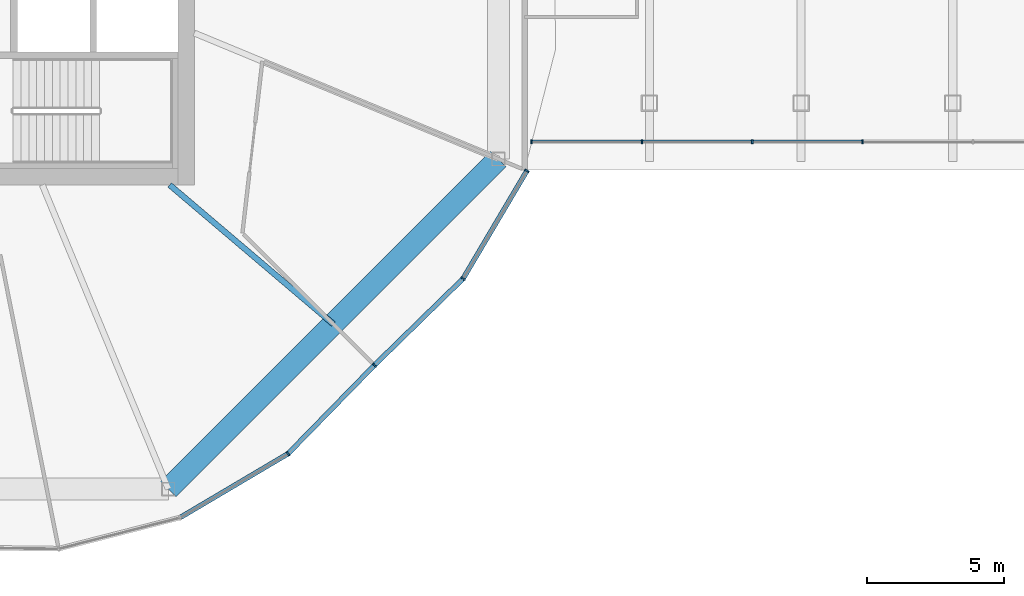
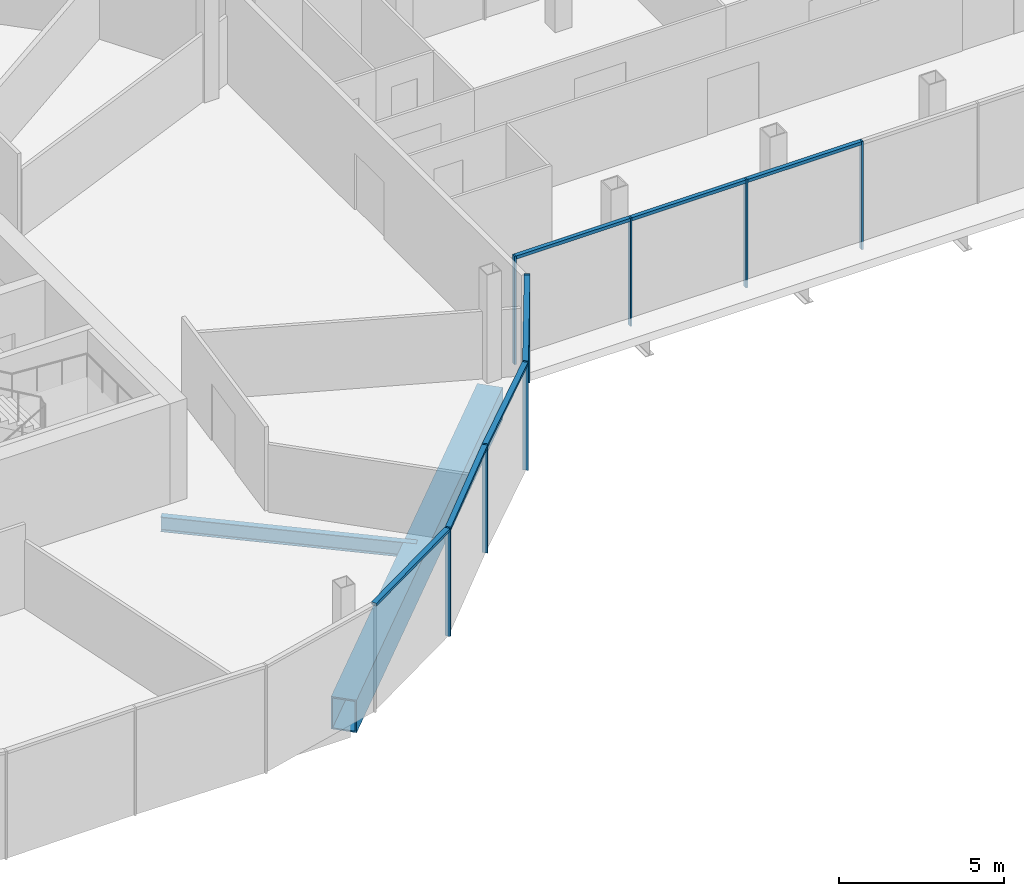
# One storey, part 5 of 25: 15 members, 2 beams, 3 elements without a shape of their own.
"""IFC4 building model written with IfcOpenShell, lengths in metres."""

from ifc_helpers import new_model, si_unit, direction, frame, origin, origin_2d, place, context, subcontext, project, spatial, rectangle, hollow_rectangle, i_section, extrude, material, material_profile, profile_set, type_object, element, aggregate, save


model = new_model("IFC4")

# Units and contexts
model_context = context("Model", 3, precision=1e-05, world=origin(), true_north=direction((0.0, 1.0)))
body_context = subcontext(model_context, "Body", "Model", "MODEL_VIEW")
ifc_project = project(units=[si_unit("LENGTHUNIT", "METRE"), si_unit("AREAUNIT", "SQUARE_METRE"), si_unit("VOLUMEUNIT", "CUBIC_METRE"), si_unit("PLANEANGLEUNIT", "RADIAN"), si_unit("MASSUNIT", "GRAM", prefix="KILO")], contexts=[model_context])

# Site, building, storey
site_placement = place(None, origin())
site = spatial("IfcSite", under=ifc_project, at=site_placement, CompositionType="ELEMENT")
building_placement = place(site_placement, origin())
building = spatial("IfcBuilding", under=site, at=building_placement, Name="Ogive Gate Towers", CompositionType="ELEMENT")
storey_placement = place(building_placement, frame((0.0, 0.0, 140.800048828125)))
storey = spatial("IfcBuildingStorey", under=building, at=storey_placement, Name="L33", CompositionType="ELEMENT", Elevation=140.800048828125)

# Beam
ifc_material_1 = material(Name="Steel SM460", Category="steel")
ifc_material_profile_1 = material_profile(ifc_material_1, hollow_rectangle(XDim=0.800048828125, YDim=1.199951171875, WallThickness=0.050048828125, at=origin_2d()), Name="BX 1200x800x50")
ifc_profile_set_1 = profile_set([ifc_material_profile_1], Name="Steel SM460")
beam_type_1 = type_object("IfcBeamType", Name="Edge girder BX 1200x800x50", PredefinedType="BEAM", material=ifc_profile_set_1)
beam_1_placement = place(storey_placement, frame((-27.450927734375, -20.639404296875, -0.900146484375), z_axis=(0.707106781187, 0.707106781187, 0.0), x_axis=(-0.707106781187, 0.707106781187, 0.0)))
element("IfcBeam", 1, at=beam_1_placement, inside=storey, type_object=beam_type_1, Name="T1/L33/SBM019", PredefinedType="BEAM", context=body_context, shape_type="SweptSolid", body=[
    extrude(hollow_rectangle(XDim=0.800048828125, YDim=1.199951171875, WallThickness=0.050048828125, at=origin_2d()), origin(), (0.0, 0.0, 1.0), 17.098388671875),
])

# Curtain wall, members
ifc_material_2 = material(Name="Pale metal aluminium", Category="aluminium")
curtain_wall_type_1 = type_object("IfcCurtainWallType", Name="Gate block facade", PredefinedType="NOTDEFINED", material=ifc_material_2)
curtain_wall_1_placement = place(storey_placement, origin())
curtain_wall_1 = element("IfcCurtainWall", 2, at=curtain_wall_1_placement, inside=storey, type_object=curtain_wall_type_1, Name="CW3 BR ECW01", PredefinedType="NOTDEFINED")
ifc_material_profile_2 = material_profile(ifc_material_2, rectangle(XDim=0.139892578125, YDim=0.06005859375, at=origin_2d()), Name="60 x 140 aluminium box")
ifc_profile_set_2 = profile_set([ifc_material_profile_2], Name="Pale metal aluminium")
member_type_1 = type_object("IfcMemberType", Name="Gate block facade mullion 60 x 140", PredefinedType="MULLION", material=ifc_profile_set_2)
member_1_placement = place(storey_placement, frame((-14.143310546875, -7.9169921875, -0.300048828125), z_axis=(0.0, 0.0, 1.0), x_axis=(0.0, -1.0, 0.0)))
member_1 = element("IfcMember", 3, at=member_1_placement, type_object=member_type_1, Name="CW3 mullion", PredefinedType="MULLION", context=body_context, shape_type="SweptSolid", body=[
    extrude(rectangle(XDim=0.139892578125, YDim=0.06005859375, at=origin_2d()), origin(), (0.0, 0.0, 1.0), 4.0),
])
member_2_placement = place(storey_placement, frame((-10.102294921875, -7.9169921875, -0.300048828125), z_axis=(0.0, 0.0, 1.0), x_axis=(0.0, -1.0, 0.0)))
member_2 = element("IfcMember", 4, at=member_2_placement, type_object=member_type_1, Name="CW3 mullion", PredefinedType="MULLION", context=body_context, shape_type="SweptSolid", body=[
    extrude(rectangle(XDim=0.139892578125, YDim=0.06005859375, at=origin_2d()), origin(), (0.0, 0.0, 1.0), 4.0),
])
member_3_placement = place(storey_placement, frame((-6.061279296875, -7.9169921875, -0.300048828125), z_axis=(0.0, 0.0, 1.0), x_axis=(0.0, -1.0, 0.0)))
member_3 = element("IfcMember", 5, at=member_3_placement, type_object=member_type_1, Name="CW3 mullion", PredefinedType="MULLION", context=body_context, shape_type="SweptSolid", body=[
    extrude(rectangle(XDim=0.139892578125, YDim=0.06005859375, at=origin_2d()), origin(), (0.0, 0.0, 1.0), 4.0),
])
member_4_placement = place(storey_placement, frame((-2.0205078125, -7.9169921875, -0.300048828125), z_axis=(0.0, 0.0, 1.0), x_axis=(0.0, -1.0, 0.0)))
member_4 = element("IfcMember", 6, at=member_4_placement, type_object=member_type_1, Name="CW3 mullion", PredefinedType="MULLION", context=body_context, shape_type="SweptSolid", body=[
    extrude(rectangle(XDim=0.139892578125, YDim=0.06005859375, at=origin_2d()), origin(), (0.0, 0.0, 1.0), 4.0),
])
ifc_material_profile_3 = material_profile(ifc_material_2, rectangle(XDim=0.139892578125, YDim=0.1201171875, at=origin_2d()), Name="120 x 140 aluminium box")
ifc_profile_set_3 = profile_set([ifc_material_profile_3], Name="Pale metal aluminium")
member_type_2 = type_object("IfcMemberType", Name="Gate block facade transom 120 x 140", PredefinedType="USERDEFINED", material=ifc_profile_set_3)
member_5_placement = place(storey_placement, frame((-14.11328125, -7.9169921875, 3.639892578125), z_axis=(1.0, 0.0, 0.0), x_axis=(0.0, 1.0, 0.0)))
member_5 = element("IfcMember", 7, at=member_5_placement, type_object=member_type_2, Name="CW3 transom", ObjectType="TRANSOM", PredefinedType="USERDEFINED", context=body_context, shape_type="SweptSolid", body=[
    extrude(rectangle(XDim=0.139892578125, YDim=0.1201171875, at=origin_2d()), origin(), (0.0, 0.0, 1.0), 3.98095703125),
])
member_6_placement = place(storey_placement, frame((-10.072509765625, -7.9169921875, 3.639892578125), z_axis=(1.0, 0.0, 0.0), x_axis=(0.0, 1.0, 0.0)))
member_6 = element("IfcMember", 8, at=member_6_placement, type_object=member_type_2, Name="CW3 transom", ObjectType="TRANSOM", PredefinedType="USERDEFINED", context=body_context, shape_type="SweptSolid", body=[
    extrude(rectangle(XDim=0.139892578125, YDim=0.1201171875, at=origin_2d()), origin(), (0.0, 0.0, 1.0), 3.981201171875),
])
member_7_placement = place(storey_placement, frame((-6.031494140625, -7.9169921875, 3.639892578125), z_axis=(1.0, 0.0, 0.0), x_axis=(0.0, 1.0, 0.0)))
member_7 = element("IfcMember", 9, at=member_7_placement, type_object=member_type_2, Name="CW3 transom", ObjectType="TRANSOM", PredefinedType="USERDEFINED", context=body_context, shape_type="SweptSolid", body=[
    extrude(rectangle(XDim=0.139892578125, YDim=0.1201171875, at=origin_2d()), origin(), (0.0, 0.0, 1.0), 3.98095703125),
])
aggregate(curtain_wall_1, [member_1, member_2, member_5, member_3, member_6, member_4, member_7])

# Beam
ifc_material_3 = material(Name="Steel SM355", Category="steel")
ifc_material_profile_4 = material_profile(ifc_material_3, i_section(OverallWidth=0.2099609375, OverallDepth=0.550048828125, WebThickness=0.010986328125, FlangeThickness=0.01708984375, FilletRadius=0.02392578125, at=origin_2d()), Name="IPE 550")
ifc_profile_set_4 = profile_set([ifc_material_profile_4], Name="Steel SM355")
beam_type_2 = type_object("IfcBeamType", Name="Radial floor beam IPE 550", PredefinedType="BEAM", material=ifc_profile_set_4)
beam_2_placement = place(storey_placement, frame((-27.39990234375, -9.5, -0.574951171875), z_axis=(0.761988324045, -0.647590761222, 0.0), x_axis=(0.647590761222, 0.761988324045, 0.0)))
element("IfcBeam", 10, at=beam_2_placement, inside=storey, type_object=beam_type_2, Name="T1/L33/SBM006", PredefinedType="BEAM", context=body_context, shape_type="SweptSolid", body=[
    extrude(i_section(OverallWidth=0.2099609375, OverallDepth=0.550048828125, WebThickness=0.010986328125, FlangeThickness=0.01708984375, FilletRadius=0.02392578125, at=origin_2d()), origin(), (0.0, 0.0, 1.0), 7.866455078125),
])

# Curtain wall, members
curtain_wall_type_2 = type_object("IfcCurtainWallType", Name="Tower unitised wall, high zone", PredefinedType="NOTDEFINED", material=ifc_material_2)
curtain_wall_2_placement = place(storey_placement, origin())
curtain_wall_2 = element("IfcCurtainWall", 11, at=curtain_wall_2_placement, inside=storey, type_object=curtain_wall_type_2, Name="CW2 T1 ECW07", PredefinedType="NOTDEFINED")
ifc_material_profile_5 = material_profile(ifc_material_2, rectangle(XDim=0.179931640625, YDim=0.06005859375, at=origin_2d()), Name="60 x 180 aluminium box")
ifc_profile_set_5 = profile_set([ifc_material_profile_5], Name="Pale metal aluminium")
member_type_3 = type_object("IfcMemberType", Name="Tower unitised wall, high zone mullion 60 x 180", PredefinedType="MULLION", material=ifc_profile_set_5)
member_8_placement = place(storey_placement, frame((-23.06591796875, -19.344970703125, -0.300048828125), z_axis=(0.0, 0.0, 1.0), x_axis=(0.617818442277, -0.786320782112, 0.0)))
member_8 = element("IfcMember", 12, at=member_8_placement, type_object=member_type_3, Name="CW2 mullion", PredefinedType="MULLION", context=body_context, shape_type="SweptSolid", body=[
    extrude(rectangle(XDim=0.179931640625, YDim=0.06005859375, at=origin_2d()), origin(), (0.0, 0.0, 1.0), 4.0),
])
member_9_placement = place(storey_placement, frame((-19.8994140625, -16.100830078125, -0.300048828125), z_axis=(0.0, 0.0, 1.0), x_axis=(0.715595209557, -0.69851520818, 0.0)))
member_9 = element("IfcMember", 13, at=member_9_placement, type_object=member_type_3, Name="CW2 mullion", PredefinedType="MULLION", context=body_context, shape_type="SweptSolid", body=[
    extrude(rectangle(XDim=0.179931640625, YDim=0.06005859375, at=origin_2d()), origin(), (0.0, 0.0, 1.0), 4.0),
])

curtain_wall_3_placement = place(storey_placement, origin())
curtain_wall_3 = element("IfcCurtainWall", 14, at=curtain_wall_3_placement, inside=storey, type_object=curtain_wall_type_2, Name="CW2 T1 ECW08", PredefinedType="NOTDEFINED")
member_10_placement = place(storey_placement, frame((-16.655029296875, -12.93408203125, -0.300048828125), z_axis=(0.0, 0.0, 1.0), x_axis=(0.786320782112, -0.617818442277, 0.0)))
member_10 = element("IfcMember", 15, at=member_10_placement, type_object=member_type_3, Name="CW2 mullion", PredefinedType="MULLION", context=body_context, shape_type="SweptSolid", body=[
    extrude(rectangle(XDim=0.179931640625, YDim=0.06005859375, at=origin_2d()), origin(), (0.0, 0.0, 1.0), 4.0),
])
member_11_placement = place(storey_placement, frame((-14.31494140625, -8.980712890625, -0.300048828125), z_axis=(0.0, 0.0, 1.0), x_axis=(0.860546505685, -0.509371879429, 0.0)))
member_11 = element("IfcMember", 16, at=member_11_placement, type_object=member_type_3, Name="CW2 mullion", PredefinedType="MULLION", context=body_context, shape_type="SweptSolid", body=[
    extrude(rectangle(XDim=0.179931640625, YDim=0.06005859375, at=origin_2d()), origin(), (0.0, 0.0, 1.0), 4.0),
])

# Member
ifc_material_profile_6 = material_profile(ifc_material_2, rectangle(XDim=0.179931640625, YDim=0.10009765625, at=origin_2d()), Name="100 x 180 aluminium box")
ifc_profile_set_6 = profile_set([ifc_material_profile_6], Name="Pale metal aluminium")
member_type_4 = type_object("IfcMemberType", Name="Tower unitised wall, high zone transom 100 x 180", PredefinedType="USERDEFINED", material=ifc_profile_set_6)
member_12_placement = place(storey_placement, frame((-26.993408203125, -21.669677734375, 3.64990234375), z_axis=(0.860555494725, 0.509356692799, 0.0), x_axis=(-0.509356692799, 0.860555494725, 0.0)))
member_12 = element("IfcMember", 17, at=member_12_placement, type_object=member_type_4, Name="CW2 transom", ObjectType="TRANSOM", PredefinedType="USERDEFINED", context=body_context, shape_type="SweptSolid", body=[
    extrude(rectangle(XDim=0.179931640625, YDim=0.10009765625, at=origin_2d()), origin(), (0.0, 0.0, 1.0), 4.53515625),
])

member_13_placement = place(storey_placement, frame((-23.0458984375, -19.32421875, 3.64990234375), z_axis=(0.698544041781, 0.715567063029, 0.0), x_axis=(-0.715567063029, 0.698544041781, 0.0)))
member_13 = element("IfcMember", 18, at=member_13_placement, type_object=member_type_4, Name="CW2 transom", ObjectType="TRANSOM", PredefinedType="USERDEFINED", context=body_context, shape_type="SweptSolid", body=[
    extrude(rectangle(XDim=0.179931640625, YDim=0.10009765625, at=origin_2d()), origin(), (0.0, 0.0, 1.0), 4.474609375),
])

aggregate(curtain_wall_2, [member_8, member_12, member_9, member_13])

member_14_placement = place(storey_placement, frame((-19.877685546875, -16.079833984375, 3.64990234375), z_axis=(0.715567063029, 0.698544041781, 0.0), x_axis=(-0.698544041781, 0.715567063029, 0.0)))
member_14 = element("IfcMember", 19, at=member_14_placement, type_object=member_type_4, Name="CW2 transom", ObjectType="TRANSOM", PredefinedType="USERDEFINED", context=body_context, shape_type="SweptSolid", body=[
    extrude(rectangle(XDim=0.179931640625, YDim=0.10009765625, at=origin_2d()), origin(), (0.0, 0.0, 1.0), 4.474609375),
])

member_15_placement = place(storey_placement, frame((-16.640380859375, -12.909423828125, 3.64990234375), z_axis=(0.509356692799, 0.860555494725, 0.0), x_axis=(-0.860555494725, 0.509356692799, 0.0)))
member_15 = element("IfcMember", 20, at=member_15_placement, type_object=member_type_4, Name="CW2 transom", ObjectType="TRANSOM", PredefinedType="USERDEFINED", context=body_context, shape_type="SweptSolid", body=[
    extrude(rectangle(XDim=0.179931640625, YDim=0.10009765625, at=origin_2d()), origin(), (0.0, 0.0, 1.0), 4.53515625),
])

aggregate(curtain_wall_3, [member_10, member_14, member_11, member_15])

save(model, "model.ifc")
